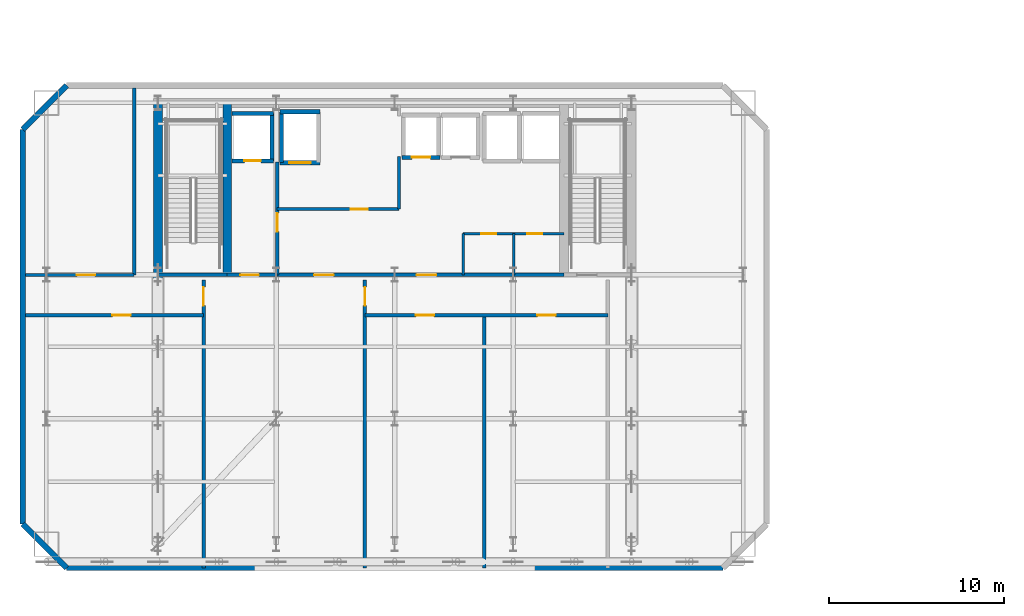
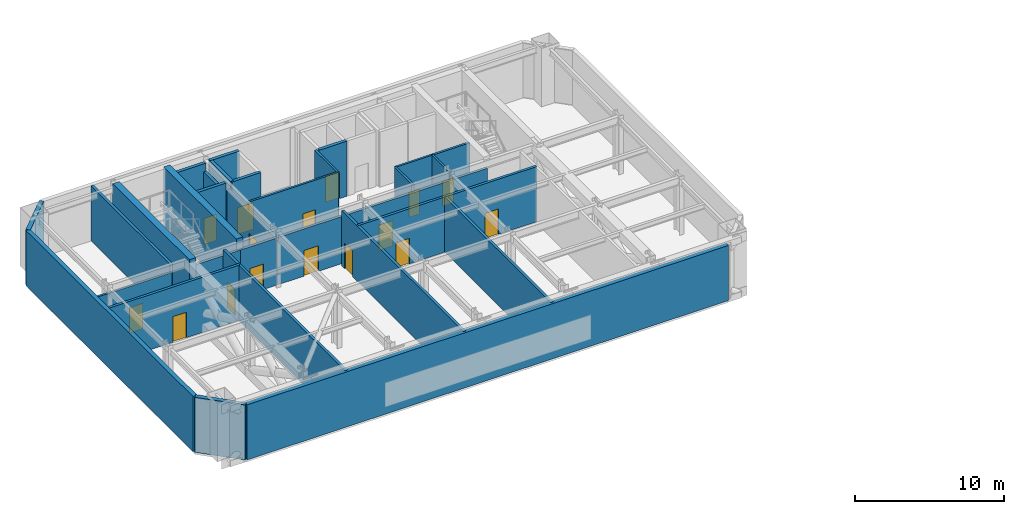
# One storey, part 8 of 15: 29 walls, 16 doors, 16 openings.
"""IFC4 building model written with IfcOpenShell, lengths in metres."""

from ifc_helpers import new_model, si_unit, direction, frame, frame_2d, origin, place, context, subcontext, project, spatial, rectangle, extrude, material, layer, layer_set, type_object, element, fill, save


model = new_model("IFC4")

# Units and contexts
model_context = context("Model", 3, precision=1e-05, world=origin(), true_north=direction((0.0, 1.0)))
body_context = subcontext(model_context, "Body", "Model", "MODEL_VIEW")
ifc_project = project(units=[si_unit("LENGTHUNIT", "METRE"), si_unit("AREAUNIT", "SQUARE_METRE"), si_unit("VOLUMEUNIT", "CUBIC_METRE"), si_unit("PLANEANGLEUNIT", "RADIAN"), si_unit("MASSUNIT", "GRAM", prefix="KILO")], contexts=[model_context])

# Site, building, storey
site_placement = place(None, origin())
site = spatial("IfcSite", under=ifc_project, at=site_placement, CompositionType="ELEMENT")
building_placement = place(site_placement, origin())
building = spatial("IfcBuilding", under=site, at=building_placement, Name="Haevon Station Towers", CompositionType="ELEMENT")
storey_placement = place(building_placement, frame((0.0, 0.0, 138.0)))
storey = spatial("IfcBuildingStorey", under=building, at=storey_placement, Name="L37", CompositionType="ELEMENT", Elevation=138.0)

# Wall
ifc_material_1 = material(Name="Gypsum board on steel stud", Category="steel")
ifc_layer_1 = layer(ifc_material_1, 0.199951171875)
ifc_layer_set_1 = layer_set([ifc_layer_1], Name="Gypsum board on steel stud")
wall_type_1 = type_object("IfcWallType", Name="WL-COR200", PredefinedType="PARTITIONING", material=ifc_layer_set_1)
wall_1_placement = place(storey_placement, frame((24.0, 38.199951171875, 0.0), z_axis=(0.0, 0.0, 1.0), x_axis=(1.0, 0.0, 0.0)))
element("IfcWall", 1, at=wall_1_placement, inside=storey, type_object=wall_type_1, Name="WL-ST-ST1-L37", PredefinedType="PARTITIONING", context=body_context, shape_type="SweptSolid", body=[
    extrude(rectangle(XDim=3.949951171875, YDim=0.199951171875, at=frame_2d((1.97509765625, 0.0))), origin(), (0.0, 0.0, 1.0), 3.8798828125),
])

# Wall, opening, door
wall_2_placement = place(storey_placement, frame((30.800048828125, 38.199951171875, 0.0), z_axis=(0.0, 0.0, 1.0), x_axis=(0.0, 1.0, 0.0)))
wall_2 = element("IfcWall", 2, at=wall_2_placement, inside=storey, type_object=wall_type_1, Name="WL-T1FFL-L37-E", PredefinedType="PARTITIONING", context=body_context, shape_type="SweptSolid", body=[
    extrude(rectangle(XDim=6.449951171875, YDim=0.199951171875, at=frame_2d((3.22509765625, 0.0))), origin(), (0.0, 0.0, 1.0), 3.8798828125),
])
opening_1_placement = place(wall_2_placement, frame((2.469970703125, 0.0, 0.0)))
opening_1 = element("IfcOpeningElement", 3, at=opening_1_placement, cuts=wall_2, Name="Opening DR-T1FFL-L37-E", PredefinedType="OPENING", context=body_context, shape_type="SweptSolid", body=[
    extrude(rectangle(XDim=1.050048828125, YDim=2.10009765625, at=frame_2d((0.52490234375, 1.050048828125))), frame((0.0, 0.10986328125, 0.0), z_axis=(0.0, -1.0, 0.0), x_axis=(1.0, 0.0, 0.0)), (0.0, 0.0, 1.0), 0.219970703125),
])
ifc_material_2 = material(Name="Engineered oak timber", Category="wood")
door_type_1 = type_object("IfcDoorType", Name="DR-FD60-1050", OperationType="NOTDEFINED", PredefinedType="DOOR", material=ifc_material_2)
door_1_placement = place(opening_1_placement, origin())
door_1 = element("IfcDoor", 4, at=door_1_placement, inside=storey, type_object=door_type_1, Name="L37 Tower 1 Firefighting Lift Lobby Door E", OperationType="SINGLE_SWING_LEFT", OverallHeight=2.10009765625, OverallWidth=1.050048828125, PredefinedType="DOOR", context=body_context, shape_type="SweptSolid", body=[
    extrude(rectangle(XDim=1.050048828125, YDim=2.10009765625, at=frame_2d((0.52490234375, 1.050048828125))), frame((0.0, 0.02490234375, 0.0), z_axis=(0.0, -1.0, 0.0), x_axis=(1.0, 0.0, 0.0)), (0.0, 0.0, 1.0), 0.050048828125),
])
fill(opening_1, door_1)

wall_3_placement = place(storey_placement, frame((27.949951171875, 38.199951171875, 0.0), z_axis=(0.0, 0.0, 1.0), x_axis=(1.0, 0.0, 0.0)))
wall_3 = element("IfcWall", 5, at=wall_3_placement, inside=storey, type_object=wall_type_1, Name="WL-T1FFL-L37-S", PredefinedType="PARTITIONING", context=body_context, shape_type="SweptSolid", body=[
    extrude(rectangle(XDim=2.85009765625, YDim=0.199951171875, at=frame_2d((1.425048828125, 0.0))), origin(), (0.0, 0.0, 1.0), 3.8798828125),
])
opening_2_placement = place(wall_3_placement, frame((0.75, 0.0, 0.0)))
opening_2 = element("IfcOpeningElement", 6, at=opening_2_placement, cuts=wall_3, Name="Opening DR-T1FFL-L37-S", PredefinedType="OPENING", context=body_context, shape_type="SweptSolid", body=[
    extrude(rectangle(XDim=1.050048828125, YDim=2.10009765625, at=frame_2d((0.52490234375, 1.050048828125))), frame((0.0, 0.10986328125, 0.0), z_axis=(0.0, -1.0, 0.0), x_axis=(1.0, 0.0, 0.0)), (0.0, 0.0, 1.0), 0.219970703125),
])
door_2_placement = place(opening_2_placement, origin())
door_2 = element("IfcDoor", 7, at=door_2_placement, inside=storey, type_object=door_type_1, Name="L37 Tower 1 Firefighting Lift Lobby Door S", OperationType="SINGLE_SWING_RIGHT", OverallHeight=2.10009765625, OverallWidth=1.050048828125, PredefinedType="DOOR", context=body_context, shape_type="SweptSolid", body=[
    extrude(rectangle(XDim=1.050048828125, YDim=2.10009765625, at=frame_2d((0.52490234375, 1.050048828125))), frame((0.0, 0.02490234375, 0.0), z_axis=(0.0, -1.0, 0.0), x_axis=(1.0, 0.0, 0.0)), (0.0, 0.0, 1.0), 0.050048828125),
])
fill(opening_2, door_2)

# Wall, openings, doors
wall_4_placement = place(storey_placement, frame((30.800048828125, 38.199951171875, 0.0), z_axis=(0.0, 0.0, 1.0), x_axis=(1.0, 0.0, 0.0)))
wall_4 = element("IfcWall", 8, at=wall_4_placement, inside=storey, type_object=wall_type_1, Name="WL-T1CLB-L37", PredefinedType="PARTITIONING", context=body_context, shape_type="SweptSolid", body=[
    extrude(rectangle(XDim=16.349853515625, YDim=0.199951171875, at=frame_2d((8.1748046875, 0.0))), origin(), (0.0, 0.0, 1.0), 3.8798828125),
])
opening_3_placement = place(wall_4_placement, frame((2.10009765625, 0.0, 0.0)))
opening_3 = element("IfcOpeningElement", 9, at=opening_3_placement, cuts=wall_4, Name="Opening DR-T1CLB-L37-1", PredefinedType="OPENING", context=body_context, shape_type="SweptSolid", body=[
    extrude(rectangle(XDim=1.1201171875, YDim=2.10009765625, at=frame_2d((0.56005859375, 1.050048828125))), frame((0.0, 0.10986328125, 0.0), z_axis=(0.0, -1.0, 0.0), x_axis=(1.0, 0.0, 0.0)), (0.0, 0.0, 1.0), 0.219970703125),
])
opening_4_placement = place(wall_4_placement, frame((7.949951171875, 0.0, 0.0)))
opening_4 = element("IfcOpeningElement", 10, at=opening_4_placement, cuts=wall_4, Name="Opening DR-T1CLB-L37-2", PredefinedType="OPENING", context=body_context, shape_type="SweptSolid", body=[
    extrude(rectangle(XDim=1.1201171875, YDim=2.10009765625, at=frame_2d((0.56005859375, 1.050048828125))), frame((0.0, 0.10986328125, 0.0), z_axis=(0.0, -1.0, 0.0), x_axis=(1.0, 0.0, 0.0)), (0.0, 0.0, 1.0), 0.219970703125),
])
door_type_2 = type_object("IfcDoorType", Name="DR-ST-1120", OperationType="NOTDEFINED", PredefinedType="DOOR", material=ifc_material_2)
door_3_placement = place(opening_3_placement, origin())
door_3 = element("IfcDoor", 11, at=door_3_placement, inside=storey, type_object=door_type_2, Name="L37 Tower 1 Core Lift Lobby Door 1", OperationType="SINGLE_SWING_LEFT", OverallHeight=2.10009765625, OverallWidth=1.1201171875, PredefinedType="DOOR", context=body_context, shape_type="SweptSolid", body=[
    extrude(rectangle(XDim=1.1201171875, YDim=2.10009765625, at=frame_2d((0.56005859375, 1.050048828125))), frame((0.0, 0.02490234375, 0.0), z_axis=(0.0, -1.0, 0.0), x_axis=(1.0, 0.0, 0.0)), (0.0, 0.0, 1.0), 0.050048828125),
])
fill(opening_3, door_3)
door_4_placement = place(opening_4_placement, origin())
door_4 = element("IfcDoor", 12, at=door_4_placement, inside=storey, type_object=door_type_2, Name="L37 Tower 1 Core Lift Lobby Door 2", OperationType="SINGLE_SWING_RIGHT", OverallHeight=2.10009765625, OverallWidth=1.1201171875, PredefinedType="DOOR", context=body_context, shape_type="SweptSolid", body=[
    extrude(rectangle(XDim=1.1201171875, YDim=2.10009765625, at=frame_2d((0.56005859375, 1.050048828125))), frame((0.0, 0.02490234375, 0.0), z_axis=(0.0, -1.0, 0.0), x_axis=(1.0, 0.0, 0.0)), (0.0, 0.0, 1.0), 0.050048828125),
])
fill(opening_4, door_4)

# Wall
wall_5_placement = place(storey_placement, frame((22.64990234375, 38.199951171875, 0.0), z_axis=(0.0, 0.0, 1.0), x_axis=(0.0, 1.0, 0.0)))
element("IfcWall", 13, at=wall_5_placement, inside=storey, type_object=wall_type_1, Name="WL-T1PT-L37-02", PredefinedType="PARTITIONING", context=body_context, shape_type="SweptSolid", body=[
    extrude(rectangle(XDim=10.66015625, YDim=0.199951171875, at=frame_2d((5.330078125, 0.0))), origin(), (0.0, 0.0, 1.0), 4.530029296875),
])

# Wall, opening, door
wall_6_placement = place(storey_placement, frame((16.43994140625, 35.89990234375, 0.0), z_axis=(0.0, 0.0, 1.0), x_axis=(1.0, 0.0, 0.0)))
wall_6 = element("IfcWall", 14, at=wall_6_placement, inside=storey, type_object=wall_type_1, Name="WL-T1PT-L37-03", PredefinedType="PARTITIONING", context=body_context, shape_type="SweptSolid", body=[
    extrude(rectangle(XDim=10.16015625, YDim=0.199951171875, at=frame_2d((5.080078125, 0.0))), origin(), (0.0, 0.0, 1.0), 4.530029296875),
])
opening_5_placement = place(wall_6_placement, frame((4.9599609375, 0.0, 0.0)))
opening_5 = element("IfcOpeningElement", 15, at=opening_5_placement, cuts=wall_6, Name="Opening DR-WL-T1PT-L37-03-01", PredefinedType="OPENING", context=body_context, shape_type="SweptSolid", body=[
    extrude(rectangle(XDim=1.050048828125, YDim=2.10009765625, at=frame_2d((0.52490234375, 1.050048828125))), frame((0.0, 0.10986328125, 0.0), z_axis=(0.0, -1.0, 0.0), x_axis=(1.0, 0.0, 0.0)), (0.0, 0.0, 1.0), 0.219970703125),
])
door_5_placement = place(opening_5_placement, origin())
door_5 = element("IfcDoor", 16, at=door_5_placement, inside=storey, type_object=door_type_1, Name="L37 Tower 1 Room Door 3-1", OperationType="SINGLE_SWING_LEFT", OverallHeight=2.10009765625, OverallWidth=1.050048828125, PredefinedType="DOOR", context=body_context, shape_type="SweptSolid", body=[
    extrude(rectangle(XDim=1.050048828125, YDim=2.10009765625, at=frame_2d((0.52490234375, 1.050048828125))), frame((0.0, 0.02490234375, 0.0), z_axis=(0.0, -1.0, 0.0), x_axis=(1.0, 0.0, 0.0)), (0.0, 0.0, 1.0), 0.050048828125),
])
fill(opening_5, door_5)

wall_7_placement = place(storey_placement, frame((26.60009765625, 21.5, 0.0), z_axis=(0.0, 0.0, 1.0), x_axis=(0.0, 1.0, 0.0)))
wall_7 = element("IfcWall", 17, at=wall_7_placement, inside=storey, type_object=wall_type_1, Name="WL-T1PT-L37-04", PredefinedType="PARTITIONING", context=body_context, shape_type="SweptSolid", body=[
    extrude(rectangle(XDim=16.39990234375, YDim=0.199951171875, at=frame_2d((8.199951171875, 0.0))), origin(), (0.0, 0.0, 1.0), 4.530029296875),
])
opening_6_placement = place(wall_7_placement, frame((14.949951171875, 0.0, 0.0)))
opening_6 = element("IfcOpeningElement", 18, at=opening_6_placement, cuts=wall_7, Name="Opening DR-WL-T1PT-L37-04-01", PredefinedType="OPENING", context=body_context, shape_type="SweptSolid", body=[
    extrude(rectangle(XDim=1.050048828125, YDim=2.10009765625, at=frame_2d((0.52490234375, 1.050048828125))), frame((0.0, 0.10986328125, 0.0), z_axis=(0.0, -1.0, 0.0), x_axis=(1.0, 0.0, 0.0)), (0.0, 0.0, 1.0), 0.219970703125),
])
door_6_placement = place(opening_6_placement, origin())
door_6 = element("IfcDoor", 19, at=door_6_placement, inside=storey, type_object=door_type_1, Name="L37 Tower 1 Room Door 4-1", OperationType="SINGLE_SWING_RIGHT", OverallHeight=2.10009765625, OverallWidth=1.050048828125, PredefinedType="DOOR", context=body_context, shape_type="SweptSolid", body=[
    extrude(rectangle(XDim=1.050048828125, YDim=2.10009765625, at=frame_2d((0.52490234375, 1.050048828125))), frame((0.0, 0.02490234375, 0.0), z_axis=(0.0, -1.0, 0.0), x_axis=(1.0, 0.0, 0.0)), (0.0, 0.0, 1.0), 0.050048828125),
])
fill(opening_6, door_6)

wall_8_placement = place(storey_placement, frame((35.800048828125, 21.5, 0.0), z_axis=(0.0, 0.0, 1.0), x_axis=(0.0, 1.0, 0.0)))
wall_8 = element("IfcWall", 20, at=wall_8_placement, inside=storey, type_object=wall_type_1, Name="WL-T1PT-L37-05", PredefinedType="PARTITIONING", context=body_context, shape_type="SweptSolid", body=[
    extrude(rectangle(XDim=16.39990234375, YDim=0.199951171875, at=frame_2d((8.199951171875, 0.0))), origin(), (0.0, 0.0, 1.0), 4.530029296875),
])
opening_7_placement = place(wall_8_placement, frame((14.949951171875, 0.0, 0.0)))
opening_7 = element("IfcOpeningElement", 21, at=opening_7_placement, cuts=wall_8, Name="Opening DR-WL-T1PT-L37-05-01", PredefinedType="OPENING", context=body_context, shape_type="SweptSolid", body=[
    extrude(rectangle(XDim=1.050048828125, YDim=2.10009765625, at=frame_2d((0.52490234375, 1.050048828125))), frame((0.0, 0.10986328125, 0.0), z_axis=(0.0, -1.0, 0.0), x_axis=(1.0, 0.0, 0.0)), (0.0, 0.0, 1.0), 0.219970703125),
])
door_7_placement = place(opening_7_placement, origin())
door_7 = element("IfcDoor", 22, at=door_7_placement, inside=storey, type_object=door_type_1, Name="L37 Tower 1 Room Door 5-1", OperationType="SINGLE_SWING_LEFT", OverallHeight=2.10009765625, OverallWidth=1.050048828125, PredefinedType="DOOR", context=body_context, shape_type="SweptSolid", body=[
    extrude(rectangle(XDim=1.050048828125, YDim=2.10009765625, at=frame_2d((0.52490234375, 1.050048828125))), frame((0.0, 0.02490234375, 0.0), z_axis=(0.0, -1.0, 0.0), x_axis=(1.0, 0.0, 0.0)), (0.0, 0.0, 1.0), 0.050048828125),
])
fill(opening_7, door_7)

# Wall
wall_9_placement = place(storey_placement, frame((42.60009765625, 21.5, 0.0), z_axis=(0.0, 0.0, 1.0), x_axis=(0.0, 1.0, 0.0)))
element("IfcWall", 23, at=wall_9_placement, inside=storey, type_object=wall_type_1, Name="WL-T1PT-L37-06", PredefinedType="PARTITIONING", context=body_context, shape_type="SweptSolid", body=[
    extrude(rectangle(XDim=14.39990234375, YDim=0.199951171875, at=frame_2d((7.199951171875, 0.0))), origin(), (0.0, 0.0, 1.0), 4.530029296875),
])

# Wall, openings, doors
wall_10_placement = place(storey_placement, frame((35.800048828125, 35.89990234375, 0.0), z_axis=(0.0, 0.0, 1.0), x_axis=(1.0, 0.0, 0.0)))
wall_10 = element("IfcWall", 24, at=wall_10_placement, inside=storey, type_object=wall_type_1, Name="WL-T1PT-L37-07", PredefinedType="PARTITIONING", context=body_context, shape_type="SweptSolid", body=[
    extrude(rectangle(XDim=13.849853515625, YDim=0.199951171875, at=frame_2d((6.9248046875, 0.0))), origin(), (0.0, 0.0, 1.0), 4.530029296875),
])
opening_8_placement = place(wall_10_placement, frame((2.89990234375, 0.0, 0.0)))
opening_8 = element("IfcOpeningElement", 25, at=opening_8_placement, cuts=wall_10, Name="Opening DR-WL-T1PT-L37-07-01", PredefinedType="OPENING", context=body_context, shape_type="SweptSolid", body=[
    extrude(rectangle(XDim=1.050048828125, YDim=2.10009765625, at=frame_2d((0.52490234375, 1.050048828125))), frame((0.0, 0.10986328125, 0.0), z_axis=(0.0, -1.0, 0.0), x_axis=(1.0, 0.0, 0.0)), (0.0, 0.0, 1.0), 0.219970703125),
])
opening_9_placement = place(wall_10_placement, frame((9.824951171875, 0.0, 0.0)))
opening_9 = element("IfcOpeningElement", 26, at=opening_9_placement, cuts=wall_10, Name="Opening DR-WL-T1PT-L37-07-02", PredefinedType="OPENING", context=body_context, shape_type="SweptSolid", body=[
    extrude(rectangle(XDim=1.050048828125, YDim=2.10009765625, at=frame_2d((0.52490234375, 1.050048828125))), frame((0.0, 0.10986328125, 0.0), z_axis=(0.0, -1.0, 0.0), x_axis=(1.0, 0.0, 0.0)), (0.0, 0.0, 1.0), 0.219970703125),
])
door_8_placement = place(opening_8_placement, origin())
door_8 = element("IfcDoor", 27, at=door_8_placement, inside=storey, type_object=door_type_1, Name="L37 Tower 1 Room Door 7-1", OperationType="SINGLE_SWING_RIGHT", OverallHeight=2.10009765625, OverallWidth=1.050048828125, PredefinedType="DOOR", context=body_context, shape_type="SweptSolid", body=[
    extrude(rectangle(XDim=1.050048828125, YDim=2.10009765625, at=frame_2d((0.52490234375, 1.050048828125))), frame((0.0, 0.02490234375, 0.0), z_axis=(0.0, -1.0, 0.0), x_axis=(1.0, 0.0, 0.0)), (0.0, 0.0, 1.0), 0.050048828125),
])
fill(opening_8, door_8)
door_9_placement = place(opening_9_placement, origin())
door_9 = element("IfcDoor", 28, at=door_9_placement, inside=storey, type_object=door_type_1, Name="L37 Tower 1 Room Door 7-2", OperationType="SINGLE_SWING_LEFT", OverallHeight=2.10009765625, OverallWidth=1.050048828125, PredefinedType="DOOR", context=body_context, shape_type="SweptSolid", body=[
    extrude(rectangle(XDim=1.050048828125, YDim=2.10009765625, at=frame_2d((0.52490234375, 1.050048828125))), frame((0.0, 0.02490234375, 0.0), z_axis=(0.0, -1.0, 0.0), x_axis=(1.0, 0.0, 0.0)), (0.0, 0.0, 1.0), 0.050048828125),
])
fill(opening_9, door_9)

# Walls
ifc_material_3 = material(Name="Concrete C60/75", Category="concrete")
ifc_layer_2 = layer(ifc_material_3, 0.5)
ifc_layer_set_2 = layer_set([ifc_layer_2], Name="Concrete C60/75")
wall_type_2 = type_object("IfcWallType", Name="WL-CR500", PredefinedType="SHEAR", material=ifc_layer_set_2)
wall_11_placement = place(storey_placement, frame((24.0, 37.679931640625, 0.0), z_axis=(0.0, 0.0, 1.0), x_axis=(0.0, 1.0, 0.0)))
element("IfcWall", 29, at=wall_11_placement, inside=storey, type_object=wall_type_2, Name="WL-T1CR-L37-W", PredefinedType="SHEAR", context=body_context, shape_type="SweptSolid", body=[
    extrude(rectangle(XDim=10.320068359375, YDim=0.5, at=frame_2d((5.16015625, 0.0))), origin(), (0.0, 0.0, 1.0), 4.800048828125),
])
wall_12_placement = place(storey_placement, frame((27.949951171875, 38.199951171875, 0.0), z_axis=(0.0, 0.0, 1.0), x_axis=(0.0, 1.0, 0.0)))
element("IfcWall", 30, at=wall_12_placement, inside=storey, type_object=wall_type_2, Name="WL-T1CR-L37-M1", PredefinedType="SHEAR", context=body_context, shape_type="SweptSolid", body=[
    extrude(rectangle(XDim=9.800048828125, YDim=0.5, at=frame_2d((4.89990234375, 0.0))), origin(), (0.0, 0.0, 1.0), 4.800048828125),
])
ifc_material_4 = material(Name="Precast concrete C45/55", Category="concrete")
ifc_layer_3 = layer(ifc_material_4, 0.320068359375)
ifc_layer_set_3 = layer_set([ifc_layer_3], Name="Precast concrete C45/55")
wall_type_3 = type_object("IfcWallType", Name="WL-EXT-PIER320", PredefinedType="SOLIDWALL", material=ifc_layer_set_3)
wall_13_placement = place(storey_placement, frame((56.199951171875, 21.5, 0.0), z_axis=(0.0, 0.0, 1.0), x_axis=(-1.0, 0.0, 0.0)))
element("IfcWall", 31, at=wall_13_placement, inside=storey, type_object=wall_type_3, Name="WL-T1-L37-S", PredefinedType="SOLIDWALL", context=body_context, shape_type="SweptSolid", body=[
    extrude(rectangle(XDim=37.39990234375, YDim=0.320068359375, at=frame_2d((18.699951171875, 0.0))), origin(), (0.0, 0.0, 1.0), 4.530029296875),
])
wall_14_placement = place(storey_placement, frame((18.800048828125, 21.5, 0.0), z_axis=(0.0, 0.0, 1.0), x_axis=(-0.707106781187, 0.707106781187, 0.0)))
element("IfcWall", 32, at=wall_14_placement, inside=storey, type_object=wall_type_3, Name="WL-T1-L37-SWC", PredefinedType="SOLIDWALL", context=body_context, shape_type="SweptSolid", body=[
    extrude(rectangle(XDim=3.53564453125, YDim=0.320068359375, at=frame_2d((1.767822265625, 0.0))), origin(), (0.0, 0.0, 1.0), 4.530029296875),
])
wall_15_placement = place(storey_placement, frame((16.300048828125, 24.0, 0.0), z_axis=(0.0, 0.0, 1.0), x_axis=(0.0, 1.0, 0.0)))
element("IfcWall", 33, at=wall_15_placement, inside=storey, type_object=wall_type_3, Name="WL-T1-L37-W", PredefinedType="SOLIDWALL", context=body_context, shape_type="SweptSolid", body=[
    extrude(rectangle(XDim=22.5, YDim=0.320068359375, at=frame_2d((11.25, 0.0))), origin(), (0.0, 0.0, 1.0), 4.530029296875),
])
wall_16_placement = place(storey_placement, frame((16.300048828125, 46.5, 0.0), z_axis=(0.0, 0.0, 1.0), x_axis=(0.707106781187, 0.707106781187, 0.0)))
element("IfcWall", 34, at=wall_16_placement, inside=storey, type_object=wall_type_3, Name="WL-T1-L37-NWC", PredefinedType="SOLIDWALL", context=body_context, shape_type="SweptSolid", body=[
    extrude(rectangle(XDim=3.53564453125, YDim=0.320068359375, at=frame_2d((1.767822265625, 0.0))), origin(), (0.0, 0.0, 1.0), 4.530029296875),
])

# Wall, opening, door
ifc_layer_4 = layer(ifc_material_1, 0.159912109375)
ifc_layer_set_4 = layer_set([ifc_layer_4], Name="Gypsum board on steel stud")
wall_type_4 = type_object("IfcWallType", Name="WL-PRT160", PredefinedType="PARTITIONING", material=ifc_layer_set_4)
wall_17_placement = place(storey_placement, frame((30.800048828125, 41.949951171875, 0.0), z_axis=(0.0, 0.0, 1.0), x_axis=(1.0, 0.0, 0.0)))
wall_17 = element("IfcWall", 35, at=wall_17_placement, inside=storey, type_object=wall_type_4, Name="WL-T1CW-L37-01", PredefinedType="PARTITIONING", context=body_context, shape_type="SweptSolid", body=[
    extrude(rectangle(XDim=6.949951171875, YDim=0.159912109375, at=frame_2d((3.47509765625, 0.0))), origin(), (0.0, 0.0, 1.0), 4.530029296875),
])
opening_10_placement = place(wall_17_placement, frame((4.199951171875, 0.0, 0.0)))
opening_10 = element("IfcOpeningElement", 36, at=opening_10_placement, cuts=wall_17, Name="Opening DR-WL-T1CW-L37-01-1", PredefinedType="OPENING", context=body_context, shape_type="SweptSolid", body=[
    extrude(rectangle(XDim=0.949951171875, YDim=2.10009765625, at=frame_2d((0.47509765625, 1.050048828125))), frame((0.0, 0.08984375, 0.0), z_axis=(0.0, -1.0, 0.0), x_axis=(1.0, 0.0, 0.0)), (0.0, 0.0, 1.0), 0.179931640625),
])
door_type_3 = type_object("IfcDoorType", Name="DR-FD60-950", OperationType="NOTDEFINED", PredefinedType="DOOR", material=ifc_material_2)
door_10_placement = place(opening_10_placement, origin())
door_10 = element("IfcDoor", 37, at=door_10_placement, inside=storey, type_object=door_type_3, Name="L37 Tower 1 Core Room Door 1-1", OperationType="SINGLE_SWING_LEFT", OverallHeight=2.10009765625, OverallWidth=0.949951171875, PredefinedType="DOOR", context=body_context, shape_type="SweptSolid", body=[
    extrude(rectangle(XDim=0.949951171875, YDim=2.10009765625, at=frame_2d((0.47509765625, 1.050048828125))), frame((0.0, 0.02490234375, 0.0), z_axis=(0.0, -1.0, 0.0), x_axis=(1.0, 0.0, 0.0)), (0.0, 0.0, 1.0), 0.050048828125),
])
fill(opening_10, door_10)

# Walls
wall_18_placement = place(storey_placement, frame((37.75, 41.949951171875, 0.0), z_axis=(0.0, 0.0, 1.0), x_axis=(0.0, 1.0, 0.0)))
element("IfcWall", 38, at=wall_18_placement, inside=storey, type_object=wall_type_4, Name="WL-T1CW-L37-02", PredefinedType="PARTITIONING", context=body_context, shape_type="SweptSolid", body=[
    extrude(rectangle(XDim=3.0, YDim=0.159912109375, at=frame_2d((1.5, 0.0))), origin(), (0.0, 0.0, 1.0), 4.530029296875),
])
for number, where, z_axis, x_axis, name in (
    (39, (41.39990234375, 38.199951171875, 0.0), (0.0, 0.0, 1.0), (0.0, 1.0, 0.0), "WL-T1CW-L37-04"),
    (40, (44.280029296875, 38.199951171875, 0.0), (0.0, 0.0, 1.0), (0.0, 1.0, 0.0), "WL-T1CW-L37-05"),
):
    element("IfcWall", number, at=place(storey_placement, frame(where, z_axis=z_axis, x_axis=x_axis)), inside=storey, type_object=wall_type_4, Name=name, PredefinedType="PARTITIONING", context=body_context, shape_type="SweptSolid", body=[
        extrude(rectangle(XDim=2.35009765625, YDim=0.159912109375, at=frame_2d((1.175048828125, 0.0))), origin(), (0.0, 0.0, 1.0), 4.530029296875),
    ])

# Wall, openings, doors
wall_19_placement = place(storey_placement, frame((41.39990234375, 40.550048828125, 0.0), z_axis=(0.0, 0.0, 1.0), x_axis=(1.0, 0.0, 0.0)))
wall_19 = element("IfcWall", 41, at=wall_19_placement, inside=storey, type_object=wall_type_4, Name="WL-T1CW-L37-06", PredefinedType="PARTITIONING", context=body_context, shape_type="SweptSolid", body=[
    extrude(rectangle(XDim=5.75, YDim=0.159912109375, at=frame_2d((2.875, 0.0))), origin(), (0.0, 0.0, 1.0), 4.530029296875),
])
opening_11_placement = place(wall_19_placement, frame((1.034912109375, 0.0, 0.0)))
opening_11 = element("IfcOpeningElement", 42, at=opening_11_placement, cuts=wall_19, Name="Opening DR-WL-T1CW-L37-06-1", PredefinedType="OPENING", context=body_context, shape_type="SweptSolid", body=[
    extrude(rectangle(XDim=0.85009765625, YDim=2.050048828125, at=frame_2d((0.425048828125, 1.02490234375))), frame((0.0, 0.08984375, 0.0), z_axis=(0.0, -1.0, 0.0), x_axis=(1.0, 0.0, 0.0)), (0.0, 0.0, 1.0), 0.179931640625),
])
opening_12_placement = place(wall_19_placement, frame((3.655029296875, 0.0, 0.0)))
opening_12 = element("IfcOpeningElement", 43, at=opening_12_placement, cuts=wall_19, Name="Opening DR-WL-T1CW-L37-06-2", PredefinedType="OPENING", context=body_context, shape_type="SweptSolid", body=[
    extrude(rectangle(XDim=0.85009765625, YDim=2.050048828125, at=frame_2d((0.425048828125, 1.02490234375))), frame((0.0, 0.08984375, 0.0), z_axis=(0.0, -1.0, 0.0), x_axis=(1.0, 0.0, 0.0)), (0.0, 0.0, 1.0), 0.179931640625),
])
door_type_4 = type_object("IfcDoorType", Name="DR-FD30-850", OperationType="NOTDEFINED", PredefinedType="DOOR", material=ifc_material_2)
door_11_placement = place(opening_11_placement, origin())
door_11 = element("IfcDoor", 44, at=door_11_placement, inside=storey, type_object=door_type_4, Name="L37 Tower 1 Core Room Door 6-1", OperationType="SINGLE_SWING_RIGHT", OverallHeight=2.050048828125, OverallWidth=0.85009765625, PredefinedType="DOOR", context=body_context, shape_type="SweptSolid", body=[
    extrude(rectangle(XDim=0.85009765625, YDim=2.050048828125, at=frame_2d((0.425048828125, 1.02490234375))), frame((0.0, 0.02490234375, 0.0), z_axis=(0.0, -1.0, 0.0), x_axis=(1.0, 0.0, 0.0)), (0.0, 0.0, 1.0), 0.050048828125),
])
fill(opening_11, door_11)
door_12_placement = place(opening_12_placement, origin())
door_12 = element("IfcDoor", 45, at=door_12_placement, inside=storey, type_object=door_type_4, Name="L37 Tower 1 Core Room Door 6-2", OperationType="SINGLE_SWING_LEFT", OverallHeight=2.050048828125, OverallWidth=0.85009765625, PredefinedType="DOOR", context=body_context, shape_type="SweptSolid", body=[
    extrude(rectangle(XDim=0.85009765625, YDim=2.050048828125, at=frame_2d((0.425048828125, 1.02490234375))), frame((0.0, 0.02490234375, 0.0), z_axis=(0.0, -1.0, 0.0), x_axis=(1.0, 0.0, 0.0)), (0.0, 0.0, 1.0), 0.050048828125),
])
fill(opening_12, door_12)

# Wall, opening, door
wall_20_placement = place(storey_placement, frame((16.43994140625, 38.199951171875, 0.0), z_axis=(0.0, 0.0, 1.0), x_axis=(1.0, 0.0, 0.0)))
wall_20 = element("IfcWall", 46, at=wall_20_placement, inside=storey, type_object=wall_type_4, Name="WL-T1PT-L37-01", PredefinedType="PARTITIONING", context=body_context, shape_type="SweptSolid", body=[
    extrude(rectangle(XDim=6.2099609375, YDim=0.159912109375, at=frame_2d((3.10498046875, 0.0))), origin(), (0.0, 0.0, 1.0), 3.8798828125),
])
opening_13_placement = place(wall_20_placement, frame((2.93505859375, 0.0, 0.0)))
opening_13 = element("IfcOpeningElement", 47, at=opening_13_placement, cuts=wall_20, Name="Opening DR-WL-T1PT-L37-01-01", PredefinedType="OPENING", context=body_context, shape_type="SweptSolid", body=[
    extrude(rectangle(XDim=1.050048828125, YDim=2.10009765625, at=frame_2d((0.52490234375, 1.050048828125))), frame((0.0, 0.08984375, 0.0), z_axis=(0.0, -1.0, 0.0), x_axis=(1.0, 0.0, 0.0)), (0.0, 0.0, 1.0), 0.179931640625),
])
door_13_placement = place(opening_13_placement, origin())
door_13 = element("IfcDoor", 48, at=door_13_placement, inside=storey, type_object=door_type_1, Name="L37 Tower 1 Room Door 1-1", OperationType="SINGLE_SWING_RIGHT", OverallHeight=2.10009765625, OverallWidth=1.050048828125, PredefinedType="DOOR", context=body_context, shape_type="SweptSolid", body=[
    extrude(rectangle(XDim=1.050048828125, YDim=2.10009765625, at=frame_2d((0.52490234375, 1.050048828125))), frame((0.0, 0.02490234375, 0.0), z_axis=(0.0, -1.0, 0.0), x_axis=(1.0, 0.0, 0.0)), (0.0, 0.0, 1.0), 0.050048828125),
])
fill(opening_13, door_13)

ifc_material_5 = material(Name="Concrete C40/50", Category="concrete")
ifc_layer_5 = layer(ifc_material_5, 0.239990234375)
ifc_layer_set_5 = layer_set([ifc_layer_5], Name="Concrete C40/50")
wall_type_5 = type_object("IfcWallType", Name="WL-SHF240", PredefinedType="PARTITIONING", material=ifc_layer_set_5)
wall_21_placement = place(storey_placement, frame((28.219970703125, 44.699951171875, 0.0), z_axis=(0.0, 0.0, 1.0), x_axis=(1.0, 0.0, 0.0)))
wall_21 = element("IfcWall", 49, at=wall_21_placement, inside=storey, type_object=wall_type_5, Name="WL-SHF-FL1-L37", PredefinedType="PARTITIONING", context=body_context, shape_type="SweptSolid", body=[
    extrude(rectangle(XDim=2.360107421875, YDim=0.239990234375, at=frame_2d((1.18017578125, 0.0))), origin(), (0.0, 0.0, 1.0), 4.530029296875),
])
opening_14_placement = place(wall_21_placement, frame((0.705078125, 0.0, 0.0)))
opening_14 = element("IfcOpeningElement", 50, at=opening_14_placement, cuts=wall_21, Name="Opening LD-FL1-L37", PredefinedType="OPENING", context=body_context, shape_type="SweptSolid", body=[
    extrude(rectangle(XDim=0.949951171875, YDim=2.14990234375, at=frame_2d((0.47509765625, 1.074951171875))), frame((0.0, 0.1298828125, 0.0), z_axis=(0.0, -1.0, 0.0), x_axis=(1.0, 0.0, 0.0)), (0.0, 0.0, 1.0), 0.260009765625),
])
ifc_material_6 = material(Name="Stainless steel and rated core", Category="steel")
door_type_5 = type_object("IfcDoorType", Name="LD-FL950", OperationType="SLIDING_TO_LEFT", PredefinedType="DOOR", material=ifc_material_6)
door_14_placement = place(opening_14_placement, origin())
door_14 = element("IfcDoor", 51, at=door_14_placement, inside=storey, type_object=door_type_5, Name="L37 Lift FL1 Sliding Landing Door", OperationType="SLIDING_TO_LEFT", OverallHeight=2.14990234375, OverallWidth=0.949951171875, PredefinedType="DOOR", context=body_context, shape_type="SweptSolid", body=[
    extrude(rectangle(XDim=0.949951171875, YDim=2.14990234375, at=frame_2d((0.47509765625, 1.074951171875))), frame((0.0, 0.02490234375, 0.0), z_axis=(0.0, -1.0, 0.0), x_axis=(1.0, 0.0, 0.0)), (0.0, 0.0, 1.0), 0.050048828125),
])
fill(opening_14, door_14)

# Walls
wall_22_placement = place(storey_placement, frame((28.219970703125, 47.39990234375, 0.0), z_axis=(0.0, 0.0, 1.0), x_axis=(1.0, 0.0, 0.0)))
element("IfcWall", 52, at=wall_22_placement, inside=storey, type_object=wall_type_5, Name="WL-SHF-FL1-L37-N", PredefinedType="PARTITIONING", context=body_context, shape_type="SweptSolid", body=[
    extrude(rectangle(XDim=2.360107421875, YDim=0.239990234375, at=frame_2d((1.18017578125, 0.0))), origin(), (0.0, 0.0, 1.0), 4.530029296875),
])
wall_23_placement = place(storey_placement, frame((30.5, 44.699951171875, 0.0), z_axis=(0.0, 0.0, 1.0), x_axis=(0.0, 1.0, 0.0)))
element("IfcWall", 53, at=wall_23_placement, inside=storey, type_object=wall_type_5, Name="WL-SHF-FL1-L37-E", PredefinedType="PARTITIONING", context=body_context, shape_type="SweptSolid", body=[
    extrude(rectangle(XDim=2.699951171875, YDim=0.239990234375, at=frame_2d((1.35009765625, 0.0))), origin(), (0.0, 0.0, 1.0), 3.8798828125),
])

# Wall, opening, door
wall_24_placement = place(storey_placement, frame((30.969970703125, 44.60009765625, 0.0), z_axis=(0.0, 0.0, 1.0), x_axis=(1.0, 0.0, 0.0)))
wall_24 = element("IfcWall", 54, at=wall_24_placement, inside=storey, type_object=wall_type_5, Name="WL-SHF-SL1-L37", PredefinedType="PARTITIONING", context=body_context, shape_type="SweptSolid", body=[
    extrude(rectangle(XDim=2.260009765625, YDim=0.239990234375, at=frame_2d((1.1298828125, 0.0))), origin(), (0.0, 0.0, 1.0), 4.530029296875),
])
opening_15_placement = place(wall_24_placement, frame((0.5048828125, 0.0, 0.0)))
opening_15 = element("IfcOpeningElement", 55, at=opening_15_placement, cuts=wall_24, Name="Opening LD-SL1-L37", PredefinedType="OPENING", context=body_context, shape_type="SweptSolid", body=[
    extrude(rectangle(XDim=1.25, YDim=2.199951171875, at=frame_2d((0.625, 1.10009765625))), frame((0.0, 0.1298828125, 0.0), z_axis=(0.0, -1.0, 0.0), x_axis=(1.0, 0.0, 0.0)), (0.0, 0.0, 1.0), 0.260009765625),
])
door_type_6 = type_object("IfcDoorType", Name="LD-SL1250", OperationType="SLIDING_TO_LEFT", PredefinedType="DOOR", material=ifc_material_6)
door_15_placement = place(opening_15_placement, origin())
door_15 = element("IfcDoor", 56, at=door_15_placement, inside=storey, type_object=door_type_6, Name="L37 Lift SL1 Sliding Landing Door", OperationType="SLIDING_TO_LEFT", OverallHeight=2.199951171875, OverallWidth=1.25, PredefinedType="DOOR", context=body_context, shape_type="SweptSolid", body=[
    extrude(rectangle(XDim=1.25, YDim=2.199951171875, at=frame_2d((0.625, 1.10009765625))), frame((0.0, 0.02490234375, 0.0), z_axis=(0.0, -1.0, 0.0), x_axis=(1.0, 0.0, 0.0)), (0.0, 0.0, 1.0), 0.050048828125),
])
fill(opening_15, door_15)

# Walls
wall_25_placement = place(storey_placement, frame((30.969970703125, 47.5, 0.0), z_axis=(0.0, 0.0, 1.0), x_axis=(1.0, 0.0, 0.0)))
element("IfcWall", 57, at=wall_25_placement, inside=storey, type_object=wall_type_5, Name="WL-SHF-SL1-L37-N", PredefinedType="PARTITIONING", context=body_context, shape_type="SweptSolid", body=[
    extrude(rectangle(XDim=2.260009765625, YDim=0.239990234375, at=frame_2d((1.1298828125, 0.0))), origin(), (0.0, 0.0, 1.0), 4.530029296875),
])
wall_26_placement = place(storey_placement, frame((31.050048828125, 44.60009765625, 0.0), z_axis=(0.0, 0.0, 1.0), x_axis=(0.0, 1.0, 0.0)))
element("IfcWall", 58, at=wall_26_placement, inside=storey, type_object=wall_type_5, Name="WL-SHF-SL1-L37-W", PredefinedType="PARTITIONING", context=body_context, shape_type="SweptSolid", body=[
    extrude(rectangle(XDim=2.89990234375, YDim=0.239990234375, at=frame_2d((1.449951171875, 0.0))), origin(), (0.0, 0.0, 1.0), 4.530029296875),
])

# Wall, opening, door
wall_27_placement = place(storey_placement, frame((37.919921875, 44.89990234375, 0.0), z_axis=(0.0, 0.0, 1.0), x_axis=(1.0, 0.0, 0.0)))
wall_27 = element("IfcWall", 59, at=wall_27_placement, inside=storey, type_object=wall_type_5, Name="WL-SHF-PL3-L37", PredefinedType="PARTITIONING", context=body_context, shape_type="SweptSolid", body=[
    extrude(rectangle(XDim=2.16015625, YDim=0.239990234375, at=frame_2d((1.080078125, 0.0))), origin(), (0.0, 0.0, 1.0), 4.530029296875),
])
opening_16_placement = place(wall_27_placement, frame((0.554931640625, 0.0, 0.0)))
opening_16 = element("IfcOpeningElement", 60, at=opening_16_placement, cuts=wall_27, Name="Opening LD-PL3-L37", PredefinedType="OPENING", context=body_context, shape_type="SweptSolid", body=[
    extrude(rectangle(XDim=1.050048828125, YDim=2.14990234375, at=frame_2d((0.52490234375, 1.074951171875))), frame((0.0, 0.1298828125, 0.0), z_axis=(0.0, -1.0, 0.0), x_axis=(1.0, 0.0, 0.0)), (0.0, 0.0, 1.0), 0.260009765625),
])
door_type_7 = type_object("IfcDoorType", Name="LD-PL1050", OperationType="SLIDING_TO_LEFT", PredefinedType="DOOR", material=ifc_material_6)
door_16_placement = place(opening_16_placement, origin())
door_16 = element("IfcDoor", 61, at=door_16_placement, inside=storey, type_object=door_type_7, Name="L37 Lift PL3 Sliding Landing Door", OperationType="SLIDING_TO_LEFT", OverallHeight=2.14990234375, OverallWidth=1.050048828125, PredefinedType="DOOR", context=body_context, shape_type="SweptSolid", body=[
    extrude(rectangle(XDim=1.050048828125, YDim=2.14990234375, at=frame_2d((0.52490234375, 1.074951171875))), frame((0.0, 0.02490234375, 0.0), z_axis=(0.0, -1.0, 0.0), x_axis=(1.0, 0.0, 0.0)), (0.0, 0.0, 1.0), 0.050048828125),
])
fill(opening_16, door_16)

save(model, "model.ifc")
